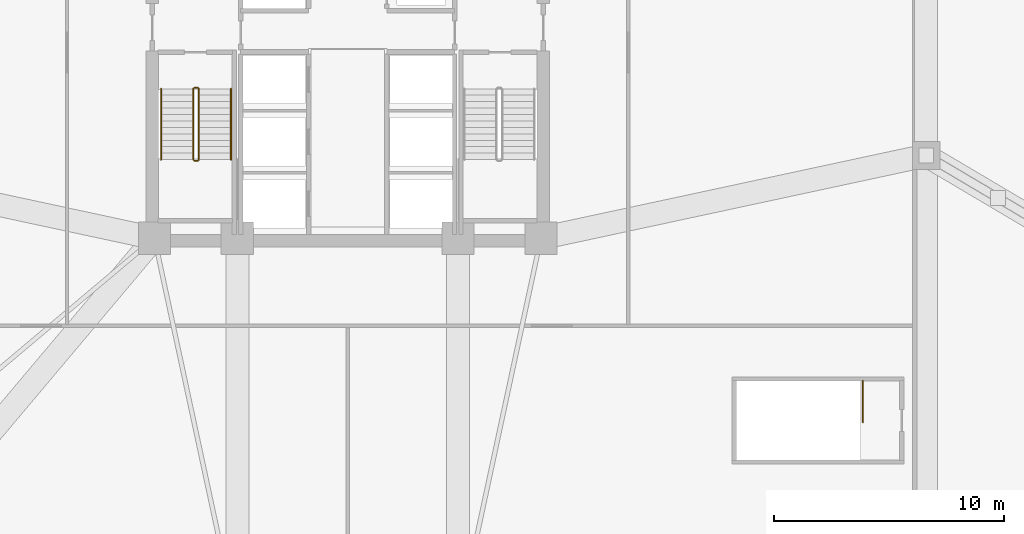
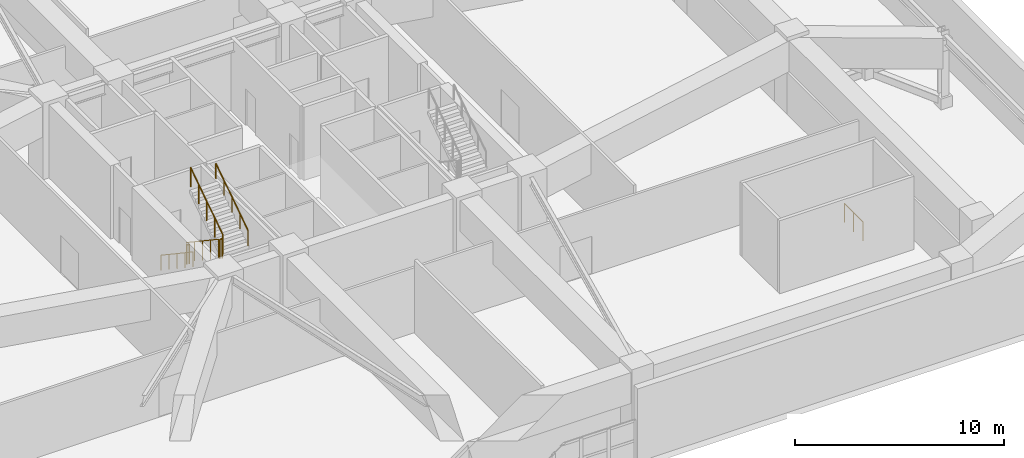
# One storey, part 15 of 19: 7 railings.
"""IFC4 building model written with IfcOpenShell, lengths in metres."""

from ifc_helpers import new_model, si_unit, direction, frame, origin, origin_2d, place, context, subcontext, project, spatial, circle, extrude, material, type_object, element, save


model = new_model("IFC4")

# Units and contexts
model_context = context("Model", 3, precision=1e-05, world=origin(), true_north=direction((0.0, 1.0)))
body_context = subcontext(model_context, "Body", "Model", "MODEL_VIEW")
ifc_project = project(units=[si_unit("LENGTHUNIT", "METRE"), si_unit("AREAUNIT", "SQUARE_METRE"), si_unit("VOLUMEUNIT", "CUBIC_METRE"), si_unit("PLANEANGLEUNIT", "RADIAN"), si_unit("MASSUNIT", "GRAM", prefix="KILO")], contexts=[model_context])

# Site, building, storey
site_placement = place(None, origin())
site = spatial("IfcSite", under=ifc_project, at=site_placement, CompositionType="ELEMENT")
building_placement = place(site_placement, origin())
building = spatial("IfcBuilding", under=site, at=building_placement, Name="Cairnveth Concourse Tower", CompositionType="ELEMENT")
storey_placement = place(building_placement, frame((0.0, 0.0, 19.0)))
storey = spatial("IfcBuildingStorey", under=building, at=storey_placement, Name="L04", CompositionType="ELEMENT", Elevation=19.0)

# Railings
ifc_material = material(Name="Steel Grade 350", Category="steel")
railing_type_1 = type_object("IfcRailingType", Name="STAIR GUARDRAIL 1150", PredefinedType="GUARDRAIL", material=ifc_material)
railing_1_placement = place(storey_placement, frame((45.2900390625, 37.10009765625, 0.1875)))
element("IfcRailing", 1, at=railing_1_placement, inside=storey, type_object=railing_type_1, Name="L04 ST-1 stair guard 1", PredefinedType="GUARDRAIL", context=body_context, shape_type="SweptSolid", body=[
    extrude(circle(Radius=0.02392578125, at=origin_2d()), frame((0.0, 0.0, 1.1259765625), z_axis=(0.0, -0.830913701846, 0.55640131208), x_axis=(1.0, 0.0, 0.0)), (0.0, 0.0, 1.0), 3.706787109375),
    extrude(circle(Radius=0.02099609375, at=origin_2d()), origin(), (0.0, 0.0, 1.0), 1.101806640625),
    extrude(circle(Radius=0.02099609375, at=origin_2d()), frame((0.0, -0.77001953125, 0.515625)), (0.0, 0.0, 1.0), 1.101806640625),
    extrude(circle(Radius=0.02099609375, at=origin_2d()), frame((0.0, -1.5400390625, 1.03125)), (0.0, 0.0, 1.0), 1.101806640625),
    extrude(circle(Radius=0.02099609375, at=origin_2d()), frame((0.0, -2.31005859375, 1.546875)), (0.0, 0.0, 1.0), 1.101806640625),
    extrude(circle(Radius=0.02099609375, at=origin_2d()), frame((0.0, -3.080078125, 2.0625)), (0.0, 0.0, 1.0), 1.101806640625),
])
railing_2_placement = place(storey_placement, frame((45.340087890625, 33.969970703125, 2.25)))
element("IfcRailing", 2, at=railing_2_placement, inside=storey, type_object=railing_type_1, Name="L04 ST-1 stair guard 2", PredefinedType="GUARDRAIL", context=body_context, shape_type="SweptSolid", body=[
    extrude(circle(Radius=0.02392578125, at=origin_2d()), frame((0.0, 0.0, 1.1259765625), z_axis=(1.0, 0.0, 0.0), x_axis=(0.0, 1.0, 0.0)), (0.0, 0.0, 1.0), 0.139892578125),
    extrude(circle(Radius=0.02099609375, at=origin_2d()), origin(), (0.0, 0.0, 1.0), 1.101806640625),
    extrude(circle(Radius=0.02099609375, at=origin_2d()), frame((0.139892578125, 0.0, 0.0)), (0.0, 0.0, 1.0), 1.101806640625),
])
railing_3_placement = place(storey_placement, frame((45.530029296875, 34.02001953125, 2.4375)))
element("IfcRailing", 3, at=railing_3_placement, inside=storey, type_object=railing_type_1, Name="L04 ST-1 stair guard 3", PredefinedType="GUARDRAIL", context=body_context, shape_type="SweptSolid", body=[
    extrude(circle(Radius=0.02392578125, at=origin_2d()), frame((0.0, 0.0, 1.1259765625), z_axis=(0.0, 0.830913701846, 0.55640131208), x_axis=(-1.0, 0.0, 0.0)), (0.0, 0.0, 1.0), 3.706787109375),
    extrude(circle(Radius=0.02099609375, at=origin_2d()), origin(), (0.0, 0.0, 1.0), 1.101806640625),
    extrude(circle(Radius=0.02099609375, at=origin_2d()), frame((0.0, 0.77001953125, 0.515625)), (0.0, 0.0, 1.0), 1.101806640625),
    extrude(circle(Radius=0.02099609375, at=origin_2d()), frame((0.0, 1.5400390625, 1.03125)), (0.0, 0.0, 1.0), 1.101806640625),
    extrude(circle(Radius=0.02099609375, at=origin_2d()), frame((0.0, 2.31005859375, 1.546875)), (0.0, 0.0, 1.0), 1.101806640625),
    extrude(circle(Radius=0.02099609375, at=origin_2d()), frame((0.0, 3.080078125, 2.0625)), (0.0, 0.0, 1.0), 1.101806640625),
])
railing_4_placement = place(storey_placement, frame((45.340087890625, 37.14990234375, 0.0)))
element("IfcRailing", 4, at=railing_4_placement, inside=storey, type_object=railing_type_1, Name="L04 ST-1 stair guard 4", PredefinedType="GUARDRAIL", context=body_context, shape_type="SweptSolid", body=[
    extrude(circle(Radius=0.02392578125, at=origin_2d()), frame((0.0, 0.0, 1.1259765625), z_axis=(1.0, 0.0, 0.0), x_axis=(0.0, 1.0, 0.0)), (0.0, 0.0, 1.0), 0.139892578125),
    extrude(circle(Radius=0.02099609375, at=origin_2d()), origin(), (0.0, 0.0, 1.0), 1.101806640625),
    extrude(circle(Radius=0.02099609375, at=origin_2d()), frame((0.139892578125, 0.0, 0.0)), (0.0, 0.0, 1.0), 1.101806640625),
])
railing_5_placement = place(storey_placement, frame((74.39990234375, 24.39990234375, 0.0)))
element("IfcRailing", 5, at=railing_5_placement, inside=storey, type_object=railing_type_1, Name="L04 ST-P2 top well guard 1", PredefinedType="GUARDRAIL", context=body_context, shape_type="SweptSolid", body=[
    extrude(circle(Radius=0.02392578125, at=origin_2d()), frame((0.0, 0.0, 1.1259765625), z_axis=(0.0, -1.0, 0.0), x_axis=(1.0, 0.0, 0.0)), (0.0, 0.0, 1.0), 1.789794921875),
    extrude(circle(Radius=0.02099609375, at=origin_2d()), origin(), (0.0, 0.0, 1.0), 1.101806640625),
    extrude(circle(Radius=0.02099609375, at=origin_2d()), frame((0.0, -0.89501953125, 0.0)), (0.0, 0.0, 1.0), 1.101806640625),
    extrude(circle(Radius=0.02099609375, at=origin_2d()), frame((0.0, -1.789794921875, 0.0)), (0.0, 0.0, 1.0), 1.101806640625),
])
railing_type_2 = type_object("IfcRailingType", Name="STAIR WALL HANDRAIL 900", PredefinedType="HANDRAIL", material=ifc_material)
railing_6_placement = place(storey_placement, frame((43.889892578125, 37.10009765625, 0.1875)))
element("IfcRailing", 6, at=railing_6_placement, inside=storey, type_object=railing_type_2, Name="L04 ST-1 stair handrail 1", PredefinedType="HANDRAIL", context=body_context, shape_type="SweptSolid", body=[
    extrude(circle(Radius=0.02392578125, at=origin_2d()), frame((0.0, 0.0, 0.8759765625), z_axis=(0.0, -0.830913701846, 0.55640131208), x_axis=(1.0, 0.0, 0.0)), (0.0, 0.0, 1.0), 3.706787109375),
    extrude(circle(Radius=0.02099609375, at=origin_2d()), origin(), (0.0, 0.0, 1.0), 0.851806640625),
    extrude(circle(Radius=0.02099609375, at=origin_2d()), frame((0.0, -0.77001953125, 0.515625)), (0.0, 0.0, 1.0), 0.851806640625),
    extrude(circle(Radius=0.02099609375, at=origin_2d()), frame((0.0, -1.5400390625, 1.03125)), (0.0, 0.0, 1.0), 0.851806640625),
    extrude(circle(Radius=0.02099609375, at=origin_2d()), frame((0.0, -2.31005859375, 1.546875)), (0.0, 0.0, 1.0), 0.851806640625),
    extrude(circle(Radius=0.02099609375, at=origin_2d()), frame((0.0, -3.080078125, 2.0625)), (0.0, 0.0, 1.0), 0.851806640625),
])
railing_7_placement = place(storey_placement, frame((46.929931640625, 34.02001953125, 2.4375)))
element("IfcRailing", 7, at=railing_7_placement, inside=storey, type_object=railing_type_2, Name="L04 ST-1 stair handrail 2", PredefinedType="HANDRAIL", context=body_context, shape_type="SweptSolid", body=[
    extrude(circle(Radius=0.02392578125, at=origin_2d()), frame((0.0, 0.0, 0.8759765625), z_axis=(0.0, 0.830913701846, 0.55640131208), x_axis=(-1.0, 0.0, 0.0)), (0.0, 0.0, 1.0), 3.706787109375),
    extrude(circle(Radius=0.02099609375, at=origin_2d()), origin(), (0.0, 0.0, 1.0), 0.851806640625),
    extrude(circle(Radius=0.02099609375, at=origin_2d()), frame((0.0, 0.77001953125, 0.515625)), (0.0, 0.0, 1.0), 0.851806640625),
    extrude(circle(Radius=0.02099609375, at=origin_2d()), frame((0.0, 1.5400390625, 1.03125)), (0.0, 0.0, 1.0), 0.851806640625),
    extrude(circle(Radius=0.02099609375, at=origin_2d()), frame((0.0, 2.31005859375, 1.546875)), (0.0, 0.0, 1.0), 0.851806640625),
    extrude(circle(Radius=0.02099609375, at=origin_2d()), frame((0.0, 3.080078125, 2.0625)), (0.0, 0.0, 1.0), 0.851806640625),
])

save(model, "model.ifc")
